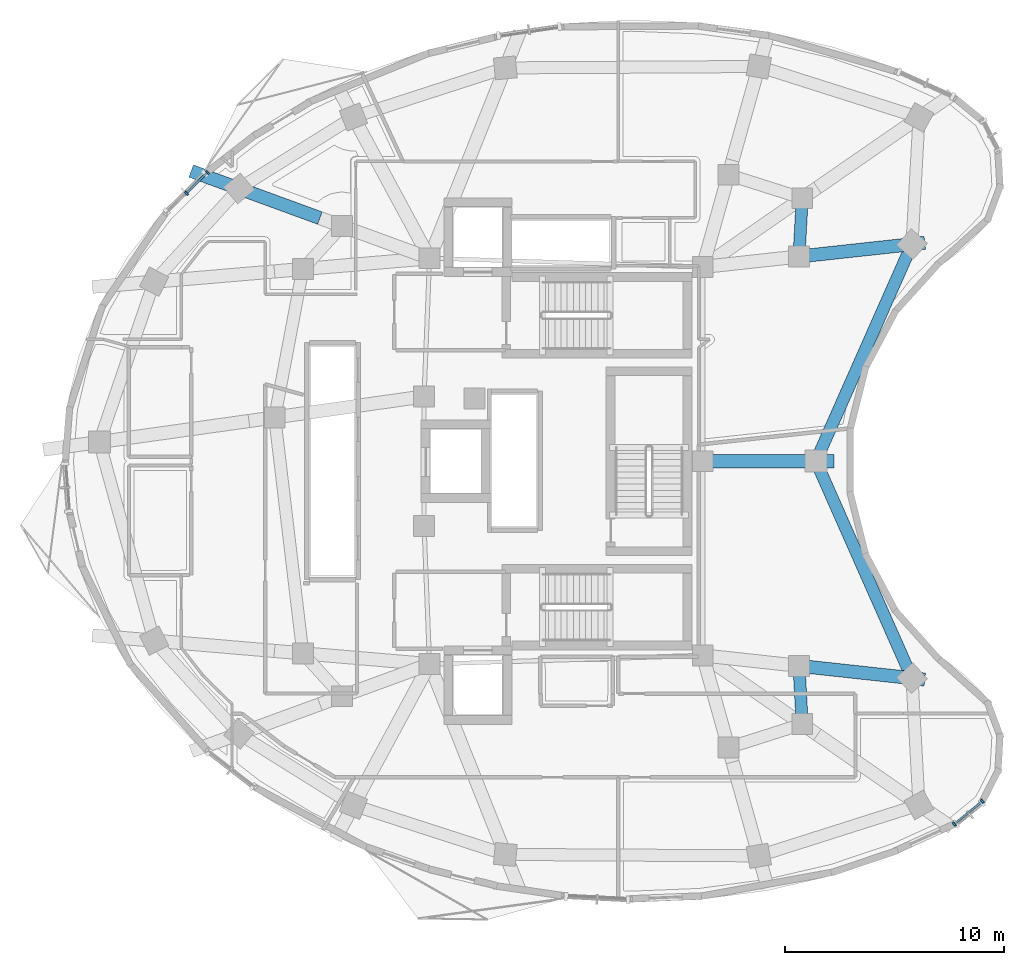
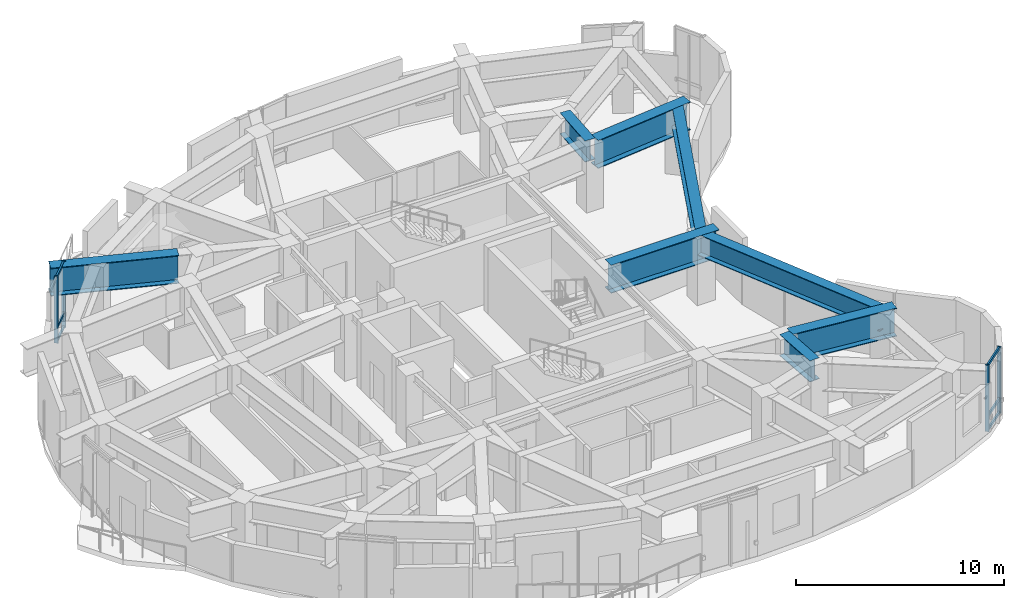
# One storey, part 4 of 13: 10 members, 8 beams, 2 elements without a shape of their own.
"""IFC4 building model written with IfcOpenShell, lengths in metres."""

from ifc_helpers import new_model, si_unit, direction, frame, origin, origin_2d, place, context, subcontext, project, spatial, rectangle, i_section, extrude, material, layer, layer_set, material_profile, profile_set, type_object, element, aggregate, save


model = new_model("IFC4")

# Units and contexts
model_context = context("Model", 3, precision=1e-05, world=origin(), true_north=direction((0.0, 1.0)))
body_context = subcontext(model_context, "Body", "Model", "MODEL_VIEW")
ifc_project = project(units=[si_unit("LENGTHUNIT", "METRE"), si_unit("AREAUNIT", "SQUARE_METRE"), si_unit("VOLUMEUNIT", "CUBIC_METRE"), si_unit("PLANEANGLEUNIT", "RADIAN"), si_unit("MASSUNIT", "GRAM", prefix="KILO")], contexts=[model_context])

# Site, building, storey
site_placement = place(None, origin())
site = spatial("IfcSite", under=ifc_project, at=site_placement, CompositionType="ELEMENT")
building_placement = place(site_placement, origin())
building = spatial("IfcBuilding", under=site, at=building_placement, Name="Korentha Bioscience Tower", CompositionType="ELEMENT")
storey_placement = place(building_placement, frame((0.0, 0.0, 208.800048828125)))
storey = spatial("IfcBuildingStorey", under=building, at=storey_placement, Name="L48", CompositionType="ELEMENT", Elevation=208.800048828125)

# Beams
ifc_material_1 = material(Name="Steel S355", Category="steel")
ifc_material_profile_1 = material_profile(ifc_material_1, i_section(OverallWidth=0.550048828125, OverallDepth=1.25, WebThickness=0.02392578125, FlangeThickness=0.0400390625, at=origin_2d()), Name="Steel S355")
ifc_profile_set_1 = profile_set([ifc_material_profile_1], Name="Steel S355 (TG-03)")
beam_type_1 = type_object("IfcBeamType", Name="Crown Step Transfer Girder CVS 1250x510", PredefinedType="USERDEFINED", material=ifc_profile_set_1)
for number, where, z_axis, x_axis, name in (
    (1, (42.084228515625, 15.014404296875, 3.2548828125), (-0.055124579287, 0.998479484395, 0.0), (-0.998479484395, -0.055124579287, 0.0), "L48 Mid-Ring Tie Girder 13"),
    (2, (41.9375, 36.327880859375, 3.2548828125), (0.055124579287, 0.998479484395, 0.0), (-0.998479484395, 0.055124579287, 0.0), "L48 Mid-Ring Tie Girder 16"),
):
    element("IfcBeam", number, at=place(storey_placement, frame(where, z_axis=z_axis, x_axis=x_axis)), inside=storey, type_object=beam_type_1, Name=name, ObjectType="TRANSFER_GIRDER", PredefinedType="USERDEFINED", context=body_context, shape_type="SweptSolid", body=[
        extrude(i_section(OverallWidth=0.550048828125, OverallDepth=1.25, WebThickness=0.02392578125, FlangeThickness=0.0400390625, at=origin_2d()), origin(), (0.0, 0.0, 1.0), 2.661865234375),
    ])
for number, where, z_axis, x_axis, name in (
    (3, (47.088134765625, 17.11083984375, 3.2548828125), (-0.40490027623, 0.914360851256, 0.0), (-0.914360851256, -0.40490027623, 0.0), "L48 Perimeter Spandrel Girder 14"),
    (4, (42.708984375, 27.0, 3.2548828125), (0.40490027623, 0.914360851256, 0.0), (-0.914360851256, 0.40490027623, 0.0), "L48 Perimeter Spandrel Girder 15"),
):
    element("IfcBeam", number, at=place(storey_placement, frame(where, z_axis=z_axis, x_axis=x_axis)), inside=storey, type_object=beam_type_1, Name=name, ObjectType="TRANSFER_GIRDER", PredefinedType="USERDEFINED", context=body_context, shape_type="SweptSolid", body=[
        extrude(i_section(OverallWidth=0.550048828125, OverallDepth=1.25, WebThickness=0.02392578125, FlangeThickness=0.0400390625, at=origin_2d()), origin(), (0.0, 0.0, 1.0), 10.8154296875),
    ])
ifc_material_profile_2 = material_profile(ifc_material_1, i_section(OverallWidth=0.60009765625, OverallDepth=1.64990234375, WebThickness=0.02587890625, FlangeThickness=0.0439453125, at=origin_2d()), Name="Steel S355")
ifc_profile_set_2 = profile_set([ifc_material_profile_2], Name="Steel S355 (TG-04)")
beam_type_2 = type_object("IfcBeamType", Name="Deep Setback Transfer Girder CVS 1650x620", PredefinedType="USERDEFINED", material=ifc_profile_set_2)
beam_1_placement = place(storey_placement, frame((20.102294921875, 38.07861328125, 3.054931640625), z_axis=(-0.939108088977, 0.343621881169, 0.0), x_axis=(-0.343621881169, -0.939108088977, 0.0)))
element("IfcBeam", 5, at=beam_1_placement, inside=storey, type_object=beam_type_2, Name="L48 Outer Radial Transfer Girder 05", ObjectType="TRANSFER_GIRDER", PredefinedType="USERDEFINED", context=body_context, shape_type="SweptSolid", body=[
    extrude(i_section(OverallWidth=0.60009765625, OverallDepth=1.64990234375, WebThickness=0.02587890625, FlangeThickness=0.0439453125, at=origin_2d()), origin(), (0.0, 0.0, 1.0), 6.247314453125),
])
beam_2_placement = place(storey_placement, frame((42.205078125, 17.642822265625, 3.054931640625), z_axis=(0.994116010051, -0.108320628508, 0.0), x_axis=(0.108320628508, 0.994116010051, 0.0)))
element("IfcBeam", 6, at=beam_2_placement, inside=storey, type_object=beam_type_2, Name="L48 Outer Radial Transfer Girder 14", ObjectType="TRANSFER_GIRDER", PredefinedType="USERDEFINED", context=body_context, shape_type="SweptSolid", body=[
    extrude(i_section(OverallWidth=0.60009765625, OverallDepth=1.64990234375, WebThickness=0.02587890625, FlangeThickness=0.0439453125, at=origin_2d()), origin(), (0.0, 0.0, 1.0), 5.4970703125),
])
beam_3_placement = place(storey_placement, frame((37.550048828125, 27.0, 3.054931640625), z_axis=(1.0, 0.0, 0.0), x_axis=(0.0, 1.0, 0.0)))
element("IfcBeam", 7, at=beam_3_placement, inside=storey, type_object=beam_type_2, Name="L48 Radial Transfer Girder 15", ObjectType="TRANSFER_GIRDER", PredefinedType="USERDEFINED", context=body_context, shape_type="SweptSolid", body=[
    extrude(i_section(OverallWidth=0.60009765625, OverallDepth=1.64990234375, WebThickness=0.02587890625, FlangeThickness=0.0439453125, at=origin_2d()), origin(), (0.0, 0.0, 1.0), 5.98681640625),
])
beam_4_placement = place(storey_placement, frame((42.205078125, 36.357177734375, 3.054931640625), z_axis=(0.994116010051, 0.108320628508, 0.0), x_axis=(-0.108320628508, 0.994116010051, 0.0)))
element("IfcBeam", 8, at=beam_4_placement, inside=storey, type_object=beam_type_2, Name="L48 Outer Radial Transfer Girder 16", ObjectType="TRANSFER_GIRDER", PredefinedType="USERDEFINED", context=body_context, shape_type="SweptSolid", body=[
    extrude(i_section(OverallWidth=0.60009765625, OverallDepth=1.64990234375, WebThickness=0.02587890625, FlangeThickness=0.0439453125, at=origin_2d()), origin(), (0.0, 0.0, 1.0), 5.4970703125),
])

# Curtain wall, members
ifc_material_2 = material(Name="Thermally Broken Aluminium Frame", Category="aluminium")
ifc_layer = layer(ifc_material_2, 0.219970703125, Name="Thermally Broken Aluminium Frame")
ifc_layer_set = layer_set([ifc_layer], Name="Thermally Broken Aluminium Frame (CW-T2)")
curtain_wall_type = type_object("IfcCurtainWallType", Name="Solar-Screened Lab Unitised Curtain Wall CW-T2", PredefinedType="USERDEFINED", material=ifc_layer_set)
curtain_wall_1_placement = place(storey_placement, origin())
curtain_wall_1 = element("IfcCurtainWall", 9, at=curtain_wall_1_placement, inside=storey, type_object=curtain_wall_type, Name="L48 Curtain Wall 13", ObjectType="UNITISED", PredefinedType="USERDEFINED")
ifc_material_3 = material(Name="Anodised Aluminium 6063-T6", Category="aluminium")
ifc_material_profile_3 = material_profile(ifc_material_3, rectangle(XDim=0.090087890625, YDim=0.199951171875, at=origin_2d()), Name="Anodised Aluminium 6063-T6")
ifc_profile_set_3 = profile_set([ifc_material_profile_3], Name="Anodised Aluminium 6063-T6 (CW-MUL)")
member_type_1 = type_object("IfcMemberType", Name="Mullion RECT 90x200", PredefinedType="MULLION", material=ifc_profile_set_3)
member_1_placement = place(storey_placement, frame((14.9794921875, 40.162353515625, 0.0), z_axis=(0.0, 0.0, 1.0), x_axis=(-0.711177694756, -0.703012294688, 0.0)))
member_1 = element("IfcMember", 10, at=member_1_placement, type_object=member_type_1, Name="CW-L48-13 Mullion 1", PredefinedType="MULLION", context=body_context, shape_type="SweptSolid", body=[
    extrude(rectangle(XDim=0.090087890625, YDim=0.199951171875, at=origin_2d()), origin(), (0.0, 0.0, 1.0), 3.8798828125),
])
member_2_placement = place(storey_placement, frame((14.018798828125, 39.21240234375, 0.0), z_axis=(0.0, 0.0, 1.0), x_axis=(-0.711177694756, -0.703012294688, 0.0)))
member_2 = element("IfcMember", 11, at=member_2_placement, type_object=member_type_1, Name="CW-L48-13 Mullion 2", PredefinedType="MULLION", context=body_context, shape_type="SweptSolid", body=[
    extrude(rectangle(XDim=0.090087890625, YDim=0.199951171875, at=origin_2d()), origin(), (0.0, 0.0, 1.0), 3.8798828125),
])

curtain_wall_2_placement = place(storey_placement, origin())
curtain_wall_2 = element("IfcCurtainWall", 12, at=curtain_wall_2_placement, inside=storey, type_object=curtain_wall_type, Name="L48 Curtain Wall 37", ObjectType="UNITISED", PredefinedType="USERDEFINED")
member_3_placement = place(storey_placement, frame((49.01806640625, 10.45751953125, 0.0), z_axis=(0.0, 0.0, 1.0), x_axis=(0.774088224596, 0.633077736571, 0.0)))
member_3 = element("IfcMember", 13, at=member_3_placement, type_object=member_type_1, Name="CW-L48-37 Mullion 1", PredefinedType="MULLION", context=body_context, shape_type="SweptSolid", body=[
    extrude(rectangle(XDim=0.090087890625, YDim=0.199951171875, at=origin_2d()), origin(), (0.0, 0.0, 1.0), 3.8798828125),
])
member_4_placement = place(storey_placement, frame((50.291748046875, 11.4990234375, 0.0), z_axis=(0.0, 0.0, 1.0), x_axis=(0.774088224596, 0.633077736571, 0.0)))
member_4 = element("IfcMember", 14, at=member_4_placement, type_object=member_type_1, Name="CW-L48-37 Mullion 2", PredefinedType="MULLION", context=body_context, shape_type="SweptSolid", body=[
    extrude(rectangle(XDim=0.090087890625, YDim=0.199951171875, at=origin_2d()), origin(), (0.0, 0.0, 1.0), 3.8798828125),
])

# Member
ifc_material_profile_4 = material_profile(ifc_material_3, rectangle(XDim=0.090087890625, YDim=0.159912109375, at=origin_2d()), Name="Anodised Aluminium 6063-T6")
ifc_profile_set_4 = profile_set([ifc_material_profile_4], Name="Anodised Aluminium 6063-T6 (CW-TRN)")
member_type_2 = type_object("IfcMemberType", Name="Transom RECT 90x160", PredefinedType="USERDEFINED", material=ifc_profile_set_4)
member_5_placement = place(storey_placement, frame((14.947509765625, 40.130615234375, 0.044921875), z_axis=(-0.711064284939, -0.703127003239, 0.0), x_axis=(0.703127003239, -0.711064284939, 0.0)))
member_5 = element("IfcMember", 15, at=member_5_placement, type_object=member_type_2, Name="CW-L48-13 Bay 1 Transom 1", ObjectType="TRANSOM", PredefinedType="USERDEFINED", context=body_context, shape_type="SweptSolid", body=[
    extrude(rectangle(XDim=0.090087890625, YDim=0.159912109375, at=origin_2d()), origin(), (0.0, 0.0, 1.0), 1.260986328125),
])

member_6_placement = place(storey_placement, frame((14.947509765625, 40.130615234375, 0.849853515625), z_axis=(-0.711064284939, -0.703127003239, 0.0), x_axis=(0.703127003239, -0.711064284939, 0.0)))
member_6 = element("IfcMember", 16, at=member_6_placement, type_object=member_type_2, Name="CW-L48-13 Bay 1 Transom 2", ObjectType="TRANSOM", PredefinedType="USERDEFINED", context=body_context, shape_type="SweptSolid", body=[
    extrude(rectangle(XDim=0.090087890625, YDim=0.159912109375, at=origin_2d()), origin(), (0.0, 0.0, 1.0), 1.260986328125),
])

member_7_placement = place(storey_placement, frame((14.947509765625, 40.130615234375, 3.8349609375), z_axis=(-0.711064284939, -0.703127003239, 0.0), x_axis=(0.703127003239, -0.711064284939, 0.0)))
member_7 = element("IfcMember", 17, at=member_7_placement, type_object=member_type_2, Name="CW-L48-13 Bay 1 Transom 3", ObjectType="TRANSOM", PredefinedType="USERDEFINED", context=body_context, shape_type="SweptSolid", body=[
    extrude(rectangle(XDim=0.090087890625, YDim=0.159912109375, at=origin_2d()), origin(), (0.0, 0.0, 1.0), 1.260986328125),
])

aggregate(curtain_wall_1, [member_1, member_2, member_5, member_6, member_7])

member_8_placement = place(storey_placement, frame((49.052978515625, 10.48583984375, 0.044921875), z_axis=(0.77406919377, 0.633101005572, 0.0), x_axis=(-0.633101005572, 0.77406919377, 0.0)))
member_8 = element("IfcMember", 18, at=member_8_placement, type_object=member_type_2, Name="CW-L48-37 Bay 1 Transom 1", ObjectType="TRANSOM", PredefinedType="USERDEFINED", context=body_context, shape_type="SweptSolid", body=[
    extrude(rectangle(XDim=0.090087890625, YDim=0.159912109375, at=origin_2d()), origin(), (0.0, 0.0, 1.0), 1.55517578125),
])

member_9_placement = place(storey_placement, frame((49.052978515625, 10.48583984375, 0.849853515625), z_axis=(0.77406919377, 0.633101005572, 0.0), x_axis=(-0.633101005572, 0.77406919377, 0.0)))
member_9 = element("IfcMember", 19, at=member_9_placement, type_object=member_type_2, Name="CW-L48-37 Bay 1 Transom 2", ObjectType="TRANSOM", PredefinedType="USERDEFINED", context=body_context, shape_type="SweptSolid", body=[
    extrude(rectangle(XDim=0.090087890625, YDim=0.159912109375, at=origin_2d()), origin(), (0.0, 0.0, 1.0), 1.55517578125),
])

member_10_placement = place(storey_placement, frame((49.052978515625, 10.48583984375, 3.8349609375), z_axis=(0.77406919377, 0.633101005572, 0.0), x_axis=(-0.633101005572, 0.77406919377, 0.0)))
member_10 = element("IfcMember", 20, at=member_10_placement, type_object=member_type_2, Name="CW-L48-37 Bay 1 Transom 3", ObjectType="TRANSOM", PredefinedType="USERDEFINED", context=body_context, shape_type="SweptSolid", body=[
    extrude(rectangle(XDim=0.090087890625, YDim=0.159912109375, at=origin_2d()), origin(), (0.0, 0.0, 1.0), 1.55517578125),
])

aggregate(curtain_wall_2, [member_3, member_4, member_8, member_9, member_10])

save(model, "model.ifc")
